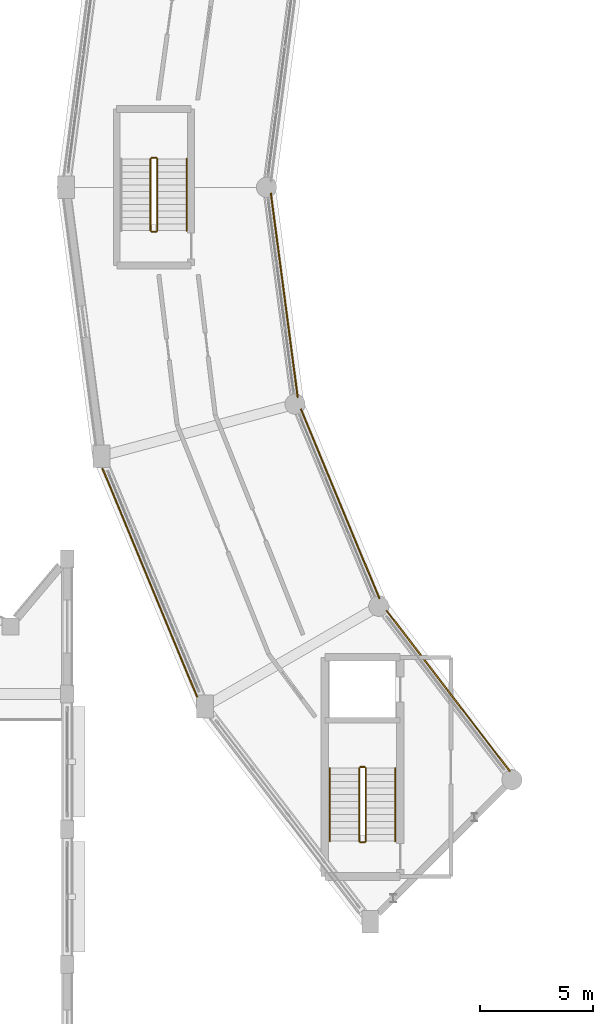
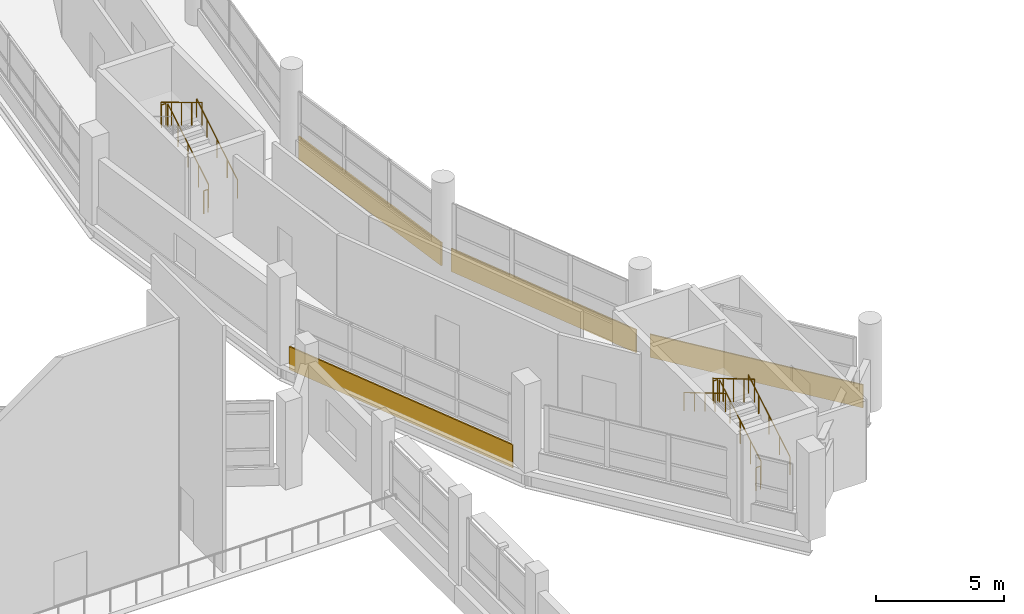
# One storey, part 121 of 128: 11 railings, 4 coverings.
"""IFC4 building model written with IfcOpenShell, lengths in metres."""

from ifc_helpers import new_model, si_unit, direction, frame, frame_2d, origin, origin_2d, place, context, subcontext, project, spatial, rectangle, circle, extrude, material, layer, layer_set, type_object, element, save


model = new_model("IFC4")

# Units and contexts
model_context = context("Model", 3, precision=1e-05, world=origin(), true_north=direction((0.0, 1.0)))
body_context = subcontext(model_context, "Body", "Model", "MODEL_VIEW")
ifc_project = project(units=[si_unit("LENGTHUNIT", "METRE"), si_unit("AREAUNIT", "SQUARE_METRE"), si_unit("VOLUMEUNIT", "CUBIC_METRE"), si_unit("PLANEANGLEUNIT", "RADIAN"), si_unit("MASSUNIT", "GRAM", prefix="KILO")], contexts=[model_context])

# Site, building, storey
site_placement = place(None, origin())
site = spatial("IfcSite", under=ifc_project, at=site_placement, CompositionType="ELEMENT")
building_placement = place(site_placement, origin())
building = spatial("IfcBuilding", under=site, at=building_placement, Name="Vespera Passage Community Centre", CompositionType="ELEMENT")
storey_placement = place(building_placement, frame((0.0, 0.0, 4.5)))
storey = spatial("IfcBuildingStorey", under=building, at=storey_placement, Name="L01", CompositionType="ELEMENT", Elevation=4.5)

# Coverings
ifc_material_1 = material(Name="Precast concrete f'c 40 MPa", Category="concrete")
ifc_layer = layer(ifc_material_1, 0.06005859375)
ifc_layer_set = layer_set([ifc_layer], Name="Precast concrete f'c 40 MPa")
covering_type = type_object("IfcCoveringType", Name="COV-CLAD-60E", PredefinedType="CLADDING", material=ifc_layer_set)
covering_1_placement = place(storey_placement, frame((40.989990234375, 65.2451171875, -0.280029296875), z_axis=(0.0, 0.0, 1.0), x_axis=(0.13052003772, -0.99144567161, 0.0)))
element("IfcCovering", 1, at=covering_1_placement, inside=storey, type_object=covering_type, Name="V4 L01 Inner Court White Spandrel Band I12", PredefinedType="CLADDING", context=body_context, shape_type="SweptSolid", body=[
    extrude(rectangle(XDim=9.15625, YDim=0.06005859375, at=frame_2d((4.578125, 0.0))), origin(), (0.0, 0.0, 1.0), 1.10009765625),
])
covering_2_placement = place(storey_placement, frame((37.7216796875, 42.86181640625, -0.280029296875), z_axis=(0.0, 0.0, 1.0), x_axis=(-0.382695413149, 0.923874569817, 0.0)))
element("IfcCovering", 2, at=covering_2_placement, inside=storey, type_object=covering_type, Name="V4 L01 Outer White Spandrel Band O13", PredefinedType="CLADDING", context=body_context, shape_type="SweptSolid", body=[
    extrude(rectangle(XDim=11.002197265625, YDim=0.06005859375, at=frame_2d((5.5009765625, 0.0))), origin(), (0.0, 0.0, 1.0), 1.10009765625),
])
covering_3_placement = place(storey_placement, frame((42.325439453125, 55.654296875, -0.280029296875), z_axis=(0.0, 0.0, 1.0), x_axis=(0.38269491658, -0.92387477551, 0.0)))
element("IfcCovering", 3, at=covering_3_placement, inside=storey, type_object=covering_type, Name="V4 L01 Inner Court White Spandrel Band I13", PredefinedType="CLADDING", context=body_context, shape_type="SweptSolid", body=[
    extrude(rectangle(XDim=9.11181640625, YDim=0.06005859375, at=frame_2d((4.555908203125, 0.0))), origin(), (0.0, 0.0, 1.0), 1.10009765625),
])
covering_4_placement = place(storey_placement, frame((46.121826171875, 46.714111328125, -0.280029296875), z_axis=(0.0, 0.0, 1.0), x_axis=(0.608765610033, -0.793350132061, 0.0)))
element("IfcCovering", 4, at=covering_4_placement, inside=storey, type_object=covering_type, Name="V4 L01 Inner Court White Spandrel Band I14", PredefinedType="CLADDING", context=body_context, shape_type="SweptSolid", body=[
    extrude(rectangle(XDim=9.004638671875, YDim=0.06005859375, at=frame_2d((4.50244140625, 0.0))), origin(), (0.0, 0.0, 1.0), 1.10009765625),
])

# Railings
ifc_material_2 = material(Name="Steel ASTM A500 Grade C", Category="steel")
railing_type_1 = type_object("IfcRailingType", Name="RL-HAND-900I", PredefinedType="HANDRAIL", material=ifc_material_2)
railing_1_placement = place(storey_placement, frame((37.25, 63.574951171875, 0.175048828125)))
element("IfcRailing", 5, at=railing_1_placement, inside=storey, type_object=railing_type_1, Name="L01 ST04 stair handrail 1", PredefinedType="HANDRAIL", context=body_context, shape_type="SweptSolid", body=[
    extrude(circle(Radius=0.02392578125, at=origin_2d()), frame((0.0, 0.0, 0.8759765625), z_axis=(0.0, 0.856177665481, 0.516681531633), x_axis=(-1.0, 0.0, 0.0)), (0.0, 0.0, 1.0), 3.725830078125),
    extrude(circle(Radius=0.02099609375, at=origin_2d()), origin(), (0.0, 0.0, 1.0), 0.851806640625),
    extrude(circle(Radius=0.02099609375, at=origin_2d()), frame((0.0, 0.79736328125, 0.481201171875)), (0.0, 0.0, 1.0), 0.851806640625),
    extrude(circle(Radius=0.02099609375, at=origin_2d()), frame((0.0, 1.594970703125, 0.96240234375)), (0.0, 0.0, 1.0), 0.851806640625),
    extrude(circle(Radius=0.02099609375, at=origin_2d()), frame((0.0, 2.392578125, 1.44384765625)), (0.0, 0.0, 1.0), 0.851806640625),
    extrude(circle(Radius=0.02099609375, at=origin_2d()), frame((0.0, 3.18994140625, 1.925048828125)), (0.0, 0.0, 1.0), 0.851806640625),
])
railing_2_placement = place(storey_placement, frame((46.510986328125, 36.469970703125, 0.175048828125)))
element("IfcRailing", 6, at=railing_2_placement, inside=storey, type_object=railing_type_1, Name="L01 ST05 stair handrail 1", PredefinedType="HANDRAIL", context=body_context, shape_type="SweptSolid", body=[
    extrude(circle(Radius=0.02392578125, at=origin_2d()), frame((0.0, 0.0, 0.8759765625), z_axis=(0.0, 0.860057060016, 0.510197857224), x_axis=(-1.0, 0.0, 0.0)), (0.0, 0.0, 1.0), 3.773193359375),
    extrude(circle(Radius=0.02099609375, at=origin_2d()), origin(), (0.0, 0.0, 1.0), 0.851806640625),
    extrude(circle(Radius=0.02099609375, at=origin_2d()), frame((0.0, 0.811279296875, 0.481201171875)), (0.0, 0.0, 1.0), 0.851806640625),
    extrude(circle(Radius=0.02099609375, at=origin_2d()), frame((0.0, 1.62255859375, 0.96240234375)), (0.0, 0.0, 1.0), 0.851806640625),
    extrude(circle(Radius=0.02099609375, at=origin_2d()), frame((0.0, 2.433837890625, 1.44384765625)), (0.0, 0.0, 1.0), 0.851806640625),
    extrude(circle(Radius=0.02099609375, at=origin_2d()), frame((0.0, 3.2451171875, 1.925048828125)), (0.0, 0.0, 1.0), 0.851806640625),
])
railing_3_placement = place(storey_placement, frame((43.611083984375, 39.715087890625, 2.27490234375)))
element("IfcRailing", 7, at=railing_3_placement, inside=storey, type_object=railing_type_1, Name="L01 ST05 stair handrail 2", PredefinedType="HANDRAIL", context=body_context, shape_type="SweptSolid", body=[
    extrude(circle(Radius=0.02392578125, at=origin_2d()), frame((0.0, 0.0, 0.8759765625), z_axis=(0.0, -0.860057060016, 0.510197857224), x_axis=(1.0, 0.0, 0.0)), (0.0, 0.0, 1.0), 3.773193359375),
    extrude(circle(Radius=0.02099609375, at=origin_2d()), origin(), (0.0, 0.0, 1.0), 0.851806640625),
    extrude(circle(Radius=0.02099609375, at=origin_2d()), frame((0.0, -0.811279296875, 0.481201171875)), (0.0, 0.0, 1.0), 0.851806640625),
    extrude(circle(Radius=0.02099609375, at=origin_2d()), frame((0.0, -1.62255859375, 0.96240234375)), (0.0, 0.0, 1.0), 0.851806640625),
    extrude(circle(Radius=0.02099609375, at=origin_2d()), frame((0.0, -2.433837890625, 1.44384765625)), (0.0, 0.0, 1.0), 0.851806640625),
    extrude(circle(Radius=0.02099609375, at=origin_2d()), frame((0.0, -3.2451171875, 1.925048828125)), (0.0, 0.0, 1.0), 0.851806640625),
])
ifc_material_3 = material(Name="Steel ASTM A500 Grade C", Category="steel")
railing_type_2 = type_object("IfcRailingType", Name="RL-STAIR-1100I", PredefinedType="GUARDRAIL", material=ifc_material_3)
railing_4_placement = place(storey_placement, frame((35.949951171875, 63.574951171875, 0.175048828125)))
element("IfcRailing", 8, at=railing_4_placement, inside=storey, type_object=railing_type_2, Name="L01 ST04 stair guard 1", PredefinedType="GUARDRAIL", context=body_context, shape_type="SweptSolid", body=[
    extrude(circle(Radius=0.02392578125, at=origin_2d()), frame((0.0, 0.0, 1.09619140625), z_axis=(0.0, 0.856177665481, 0.516681531633), x_axis=(-1.0, 0.0, 0.0)), (0.0, 0.0, 1.0), 3.725830078125),
    extrude(circle(Radius=0.02099609375, at=origin_2d()), origin(), (0.0, 0.0, 1.0), 1.072021484375),
    extrude(circle(Radius=0.02099609375, at=origin_2d()), frame((0.0, 0.79736328125, 0.481201171875)), (0.0, 0.0, 1.0), 1.072021484375),
    extrude(circle(Radius=0.02099609375, at=origin_2d()), frame((0.0, 1.594970703125, 0.96240234375)), (0.0, 0.0, 1.0), 1.072021484375),
    extrude(circle(Radius=0.02099609375, at=origin_2d()), frame((0.0, 2.392578125, 1.44384765625)), (0.0, 0.0, 1.0), 1.072021484375),
    extrude(circle(Radius=0.02099609375, at=origin_2d()), frame((0.0, 3.18994140625, 1.925048828125)), (0.0, 0.0, 1.0), 1.072021484375),
])
railing_5_placement = place(storey_placement, frame((35.89990234375, 66.81494140625, 2.10009765625)))
element("IfcRailing", 9, at=railing_5_placement, inside=storey, type_object=railing_type_2, Name="L01 ST04 stair guard 2", PredefinedType="GUARDRAIL", context=body_context, shape_type="SweptSolid", body=[
    extrude(circle(Radius=0.02392578125, at=origin_2d()), frame((0.0, 0.0, 1.09619140625), z_axis=(-1.0, 0.0, 0.0), x_axis=(0.0, -1.0, 0.0)), (0.0, 0.0, 1.0), 0.199951171875),
    extrude(circle(Radius=0.02099609375, at=origin_2d()), origin(), (0.0, 0.0, 1.0), 1.072021484375),
    extrude(circle(Radius=0.02099609375, at=origin_2d()), frame((-0.199951171875, 0.0, 0.0)), (0.0, 0.0, 1.0), 1.072021484375),
])
railing_6_placement = place(storey_placement, frame((35.64990234375, 66.764892578125, 2.27490234375)))
element("IfcRailing", 10, at=railing_6_placement, inside=storey, type_object=railing_type_2, Name="L01 ST04 stair guard 3", PredefinedType="GUARDRAIL", context=body_context, shape_type="SweptSolid", body=[
    extrude(circle(Radius=0.02392578125, at=origin_2d()), frame((0.0, 0.0, 1.09619140625), z_axis=(0.0, -0.856177665481, 0.516681531633), x_axis=(1.0, 0.0, 0.0)), (0.0, 0.0, 1.0), 3.725830078125),
    extrude(circle(Radius=0.02099609375, at=origin_2d()), origin(), (0.0, 0.0, 1.0), 1.072021484375),
    extrude(circle(Radius=0.02099609375, at=origin_2d()), frame((0.0, -0.79736328125, 0.481201171875)), (0.0, 0.0, 1.0), 1.072021484375),
    extrude(circle(Radius=0.02099609375, at=origin_2d()), frame((0.0, -1.594970703125, 0.96240234375)), (0.0, 0.0, 1.0), 1.072021484375),
    extrude(circle(Radius=0.02099609375, at=origin_2d()), frame((0.0, -2.392578125, 1.44384765625)), (0.0, 0.0, 1.0), 1.072021484375),
    extrude(circle(Radius=0.02099609375, at=origin_2d()), frame((0.0, -3.18994140625, 1.925048828125)), (0.0, 0.0, 1.0), 1.072021484375),
])
railing_7_placement = place(storey_placement, frame((35.89990234375, 63.52490234375, 0.0)))
element("IfcRailing", 11, at=railing_7_placement, inside=storey, type_object=railing_type_2, Name="L01 ST04 stair guard 4", PredefinedType="GUARDRAIL", context=body_context, shape_type="SweptSolid", body=[
    extrude(circle(Radius=0.02392578125, at=origin_2d()), frame((0.0, 0.0, 1.09619140625), z_axis=(-1.0, 0.0, 0.0), x_axis=(0.0, -1.0, 0.0)), (0.0, 0.0, 1.0), 0.199951171875),
    extrude(circle(Radius=0.02099609375, at=origin_2d()), origin(), (0.0, 0.0, 1.0), 1.072021484375),
    extrude(circle(Radius=0.02099609375, at=origin_2d()), frame((-0.199951171875, 0.0, 0.0)), (0.0, 0.0, 1.0), 1.072021484375),
])
railing_8_placement = place(storey_placement, frame((45.2109375, 36.469970703125, 0.175048828125)))
element("IfcRailing", 12, at=railing_8_placement, inside=storey, type_object=railing_type_2, Name="L01 ST05 stair guard 1", PredefinedType="GUARDRAIL", context=body_context, shape_type="SweptSolid", body=[
    extrude(circle(Radius=0.02392578125, at=origin_2d()), frame((0.0, 0.0, 1.09619140625), z_axis=(0.0, 0.860057060016, 0.510197857224), x_axis=(-1.0, 0.0, 0.0)), (0.0, 0.0, 1.0), 3.773193359375),
    extrude(circle(Radius=0.02099609375, at=origin_2d()), origin(), (0.0, 0.0, 1.0), 1.072021484375),
    extrude(circle(Radius=0.02099609375, at=origin_2d()), frame((0.0, 0.811279296875, 0.481201171875)), (0.0, 0.0, 1.0), 1.072021484375),
    extrude(circle(Radius=0.02099609375, at=origin_2d()), frame((0.0, 1.62255859375, 0.96240234375)), (0.0, 0.0, 1.0), 1.072021484375),
    extrude(circle(Radius=0.02099609375, at=origin_2d()), frame((0.0, 2.433837890625, 1.44384765625)), (0.0, 0.0, 1.0), 1.072021484375),
    extrude(circle(Radius=0.02099609375, at=origin_2d()), frame((0.0, 3.2451171875, 1.925048828125)), (0.0, 0.0, 1.0), 1.072021484375),
])
railing_9_placement = place(storey_placement, frame((45.160888671875, 39.764892578125, 2.10009765625)))
element("IfcRailing", 13, at=railing_9_placement, inside=storey, type_object=railing_type_2, Name="L01 ST05 stair guard 2", PredefinedType="GUARDRAIL", context=body_context, shape_type="SweptSolid", body=[
    extrude(circle(Radius=0.02392578125, at=origin_2d()), frame((0.0, 0.0, 1.09619140625), z_axis=(-1.0, 0.0, 0.0), x_axis=(0.0, -1.0, 0.0)), (0.0, 0.0, 1.0), 0.199951171875),
    extrude(circle(Radius=0.02099609375, at=origin_2d()), origin(), (0.0, 0.0, 1.0), 1.072021484375),
    extrude(circle(Radius=0.02099609375, at=origin_2d()), frame((-0.199951171875, 0.0, 0.0)), (0.0, 0.0, 1.0), 1.072021484375),
])
railing_10_placement = place(storey_placement, frame((44.910888671875, 39.715087890625, 2.27490234375)))
element("IfcRailing", 14, at=railing_10_placement, inside=storey, type_object=railing_type_2, Name="L01 ST05 stair guard 3", PredefinedType="GUARDRAIL", context=body_context, shape_type="SweptSolid", body=[
    extrude(circle(Radius=0.02392578125, at=origin_2d()), frame((0.0, 0.0, 1.09619140625), z_axis=(0.0, -0.860057060016, 0.510197857224), x_axis=(1.0, 0.0, 0.0)), (0.0, 0.0, 1.0), 3.773193359375),
    extrude(circle(Radius=0.02099609375, at=origin_2d()), origin(), (0.0, 0.0, 1.0), 1.072021484375),
    extrude(circle(Radius=0.02099609375, at=origin_2d()), frame((0.0, -0.811279296875, 0.481201171875)), (0.0, 0.0, 1.0), 1.072021484375),
    extrude(circle(Radius=0.02099609375, at=origin_2d()), frame((0.0, -1.62255859375, 0.96240234375)), (0.0, 0.0, 1.0), 1.072021484375),
    extrude(circle(Radius=0.02099609375, at=origin_2d()), frame((0.0, -2.433837890625, 1.44384765625)), (0.0, 0.0, 1.0), 1.072021484375),
    extrude(circle(Radius=0.02099609375, at=origin_2d()), frame((0.0, -3.2451171875, 1.925048828125)), (0.0, 0.0, 1.0), 1.072021484375),
])
railing_11_placement = place(storey_placement, frame((45.160888671875, 36.419921875, 0.0)))
element("IfcRailing", 15, at=railing_11_placement, inside=storey, type_object=railing_type_2, Name="L01 ST05 stair guard 4", PredefinedType="GUARDRAIL", context=body_context, shape_type="SweptSolid", body=[
    extrude(circle(Radius=0.02392578125, at=origin_2d()), frame((0.0, 0.0, 1.09619140625), z_axis=(-1.0, 0.0, 0.0), x_axis=(0.0, -1.0, 0.0)), (0.0, 0.0, 1.0), 0.199951171875),
    extrude(circle(Radius=0.02099609375, at=origin_2d()), origin(), (0.0, 0.0, 1.0), 1.072021484375),
    extrude(circle(Radius=0.02099609375, at=origin_2d()), frame((-0.199951171875, 0.0, 0.0)), (0.0, 0.0, 1.0), 1.072021484375),
])

save(model, "model.ifc")
